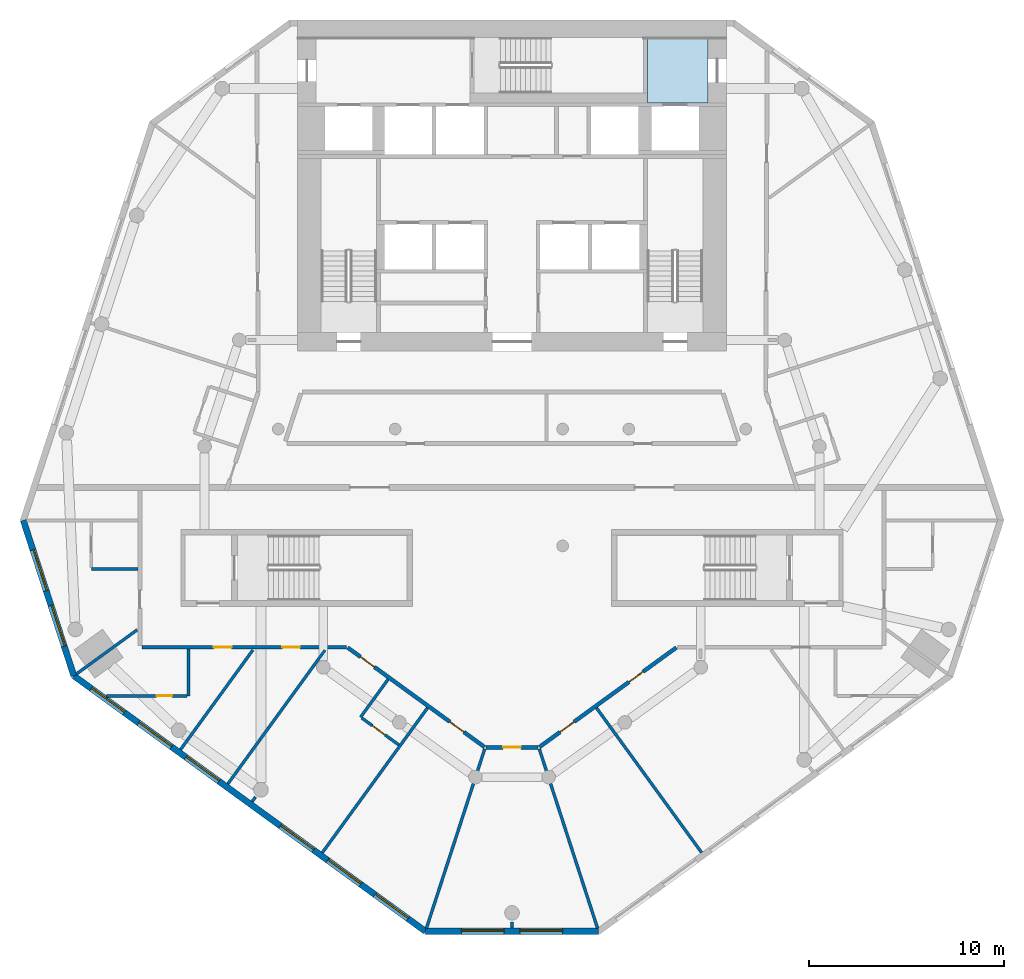
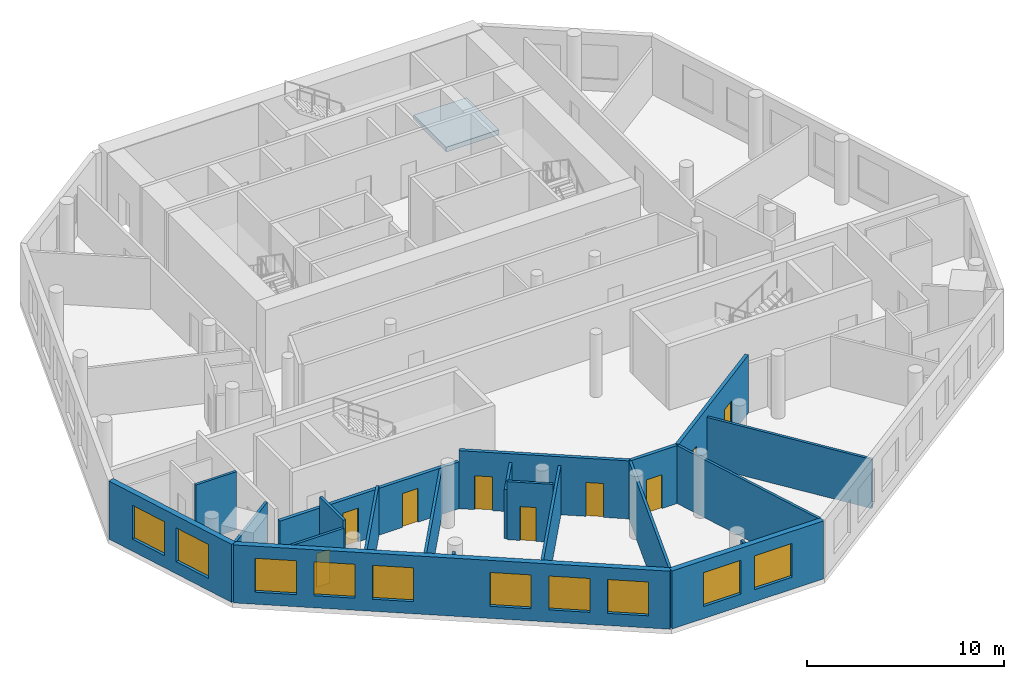
# One storey, part 2 of 9: 21 walls, 10 windows, 9 doors, 1 slab, 19 openings.
"""IFC4 building model written with IfcOpenShell, lengths in metres."""

from ifc_helpers import new_model, si_unit, direction, frame, frame_2d, origin, place, context, subcontext, project, spatial, polyline, rectangle, outline, extrude, material, layer, layer_set, type_object, element, fill, save


model = new_model("IFC4")

# Units and contexts
model_context = context("Model", 3, precision=1e-05, world=origin(), true_north=direction((0.0, 1.0)))
body_context = subcontext(model_context, "Body", "Model", "MODEL_VIEW")
ifc_project = project(units=[si_unit("LENGTHUNIT", "METRE"), si_unit("AREAUNIT", "SQUARE_METRE"), si_unit("VOLUMEUNIT", "CUBIC_METRE"), si_unit("PLANEANGLEUNIT", "RADIAN"), si_unit("MASSUNIT", "GRAM", prefix="KILO")], contexts=[model_context])

# Site, building, storey
site_placement = place(None, origin())
site = spatial("IfcSite", under=ifc_project, at=site_placement, CompositionType="ELEMENT")
building_placement = place(site_placement, origin())
building = spatial("IfcBuilding", under=site, at=building_placement, Name="White Candle Pilgrim Tower", CompositionType="ELEMENT")
storey_placement = place(building_placement, frame((0.0, 0.0, 179.800048828125)))
storey = spatial("IfcBuildingStorey", under=building, at=storey_placement, Name="L41", CompositionType="ELEMENT", Elevation=179.800048828125)

# Slab
ifc_material_1 = material(Name="Concrete C40/50", Category="concrete")
ifc_layer_1 = layer(ifc_material_1, 0.300048828125)
ifc_layer_set_1 = layer_set([ifc_layer_1], Name="Core floor slab 300 mm Concrete C40/50")
slab_type = type_object("IfcSlabType", Name="Core floor slab 300 mm Concrete C40/50", PredefinedType="FLOOR", material=ifc_layer_set_1)
slab_placement = place(storey_placement, frame((0.0, 0.0, -0.300048828125)))
element("IfcSlab", 1, at=slab_placement, inside=storey, type_object=slab_type, Name="CF-L41-06", PredefinedType="FLOOR", context=body_context, shape_type="SweptSolid", body=[
    extrude(outline(polyline([(80.050048828125, 87.050048828125), (80.050048828125, 83.75), (76.949951171875, 83.75), (76.949951171875, 84.25), (76.949951171875, 87.050048828125), (80.050048828125, 87.050048828125)])), origin(), (0.0, 0.0, 1.0), 0.300048828125),
])

# Wall, openings, doors
ifc_material_2 = material(Name="Gypsum board on steel studs", Category="steel")
ifc_layer_2 = layer(ifc_material_2, 0.199951171875)
ifc_layer_set_2 = layer_set([ifc_layer_2], Name="Corridor wall 200 mm EI 45")
wall_type_1 = type_object("IfcWallType", Name="Corridor wall 200 mm EI 45", PredefinedType="PARTITIONING", material=ifc_layer_set_2)
wall_1_placement = place(storey_placement, frame((78.434326171875, 55.781005859375, 0.0), z_axis=(0.0, 0.0, 1.0), x_axis=(-0.809005658497, -0.587800854474, 0.0)))
wall_1 = element("IfcWall", 2, at=wall_1_placement, inside=storey, type_object=wall_type_1, Name="WL-L41-P008", PredefinedType="PARTITIONING", context=body_context, shape_type="SweptSolid", body=[
    extrude(rectangle(XDim=8.69140625, YDim=0.199951171875, at=frame_2d((4.345703125, 0.0))), origin(), (0.0, 0.0, 1.0), 3.599853515625),
])
opening_1_placement = place(wall_1_placement, frame((6.4794921875, 0.0, 0.0)))
opening_1 = element("IfcOpeningElement", 3, at=opening_1_placement, cuts=wall_1, Name="Opening T12-111", PredefinedType="OPENING", context=body_context, shape_type="SweptSolid", body=[
    extrude(rectangle(XDim=0.89990234375, YDim=2.10009765625, at=frame_2d((0.449951171875, 1.050048828125))), frame((0.0, 0.10986328125, 0.0), z_axis=(0.0, -1.0, 0.0), x_axis=(1.0, 0.0, 0.0)), (0.0, 0.0, 1.0), 0.219970703125),
])
opening_2_placement = place(wall_1_placement, frame((2.101318359375, 0.0, 0.0)))
opening_2 = element("IfcOpeningElement", 4, at=opening_2_placement, cuts=wall_1, Name="Opening T12-112", PredefinedType="OPENING", context=body_context, shape_type="SweptSolid", body=[
    extrude(rectangle(XDim=0.89990234375, YDim=2.10009765625, at=frame_2d((0.449951171875, 1.050048828125))), frame((0.0, 0.10986328125, 0.0), z_axis=(0.0, -1.0, 0.0), x_axis=(1.0, 0.0, 0.0)), (0.0, 0.0, 1.0), 0.219970703125),
])
ifc_material_3 = material(Name="Steel door leaf", Category="steel")
door_type_1 = type_object("IfcDoorType", Name="Fire door 900 x 2100 EI 30", OperationType="NOTDEFINED", PredefinedType="DOOR", material=ifc_material_3)
door_1_placement = place(opening_1_placement, origin())
door_1 = element("IfcDoor", 5, at=door_1_placement, inside=storey, type_object=door_type_1, Name="Door T12-111", OperationType="SINGLE_SWING_LEFT", OverallHeight=2.10009765625, OverallWidth=0.89990234375, PredefinedType="DOOR", context=body_context, shape_type="SweptSolid", body=[
    extrude(rectangle(XDim=0.89990234375, YDim=2.10009765625, at=frame_2d((0.449951171875, 1.050048828125))), frame((0.0, 0.02490234375, 0.0), z_axis=(0.0, -1.0, 0.0), x_axis=(1.0, 0.0, 0.0)), (0.0, 0.0, 1.0), 0.050048828125),
])
fill(opening_1, door_1)
door_2_placement = place(opening_2_placement, origin())
door_2 = element("IfcDoor", 6, at=door_2_placement, inside=storey, type_object=door_type_1, Name="Door T12-112", OperationType="SINGLE_SWING_RIGHT", OverallHeight=2.10009765625, OverallWidth=0.89990234375, PredefinedType="DOOR", context=body_context, shape_type="SweptSolid", body=[
    extrude(rectangle(XDim=0.89990234375, YDim=2.10009765625, at=frame_2d((0.449951171875, 1.050048828125))), frame((0.0, 0.02490234375, 0.0), z_axis=(0.0, -1.0, 0.0), x_axis=(1.0, 0.0, 0.0)), (0.0, 0.0, 1.0), 0.050048828125),
])
fill(opening_2, door_2)

# Wall, opening, door
wall_2_placement = place(storey_placement, frame((71.343994140625, 50.653076171875, 0.0), z_axis=(0.0, 0.0, 1.0), x_axis=(-1.0, 0.0, 0.0)))
wall_2 = element("IfcWall", 7, at=wall_2_placement, inside=storey, type_object=wall_type_1, Name="WL-L41-P009", PredefinedType="PARTITIONING", context=body_context, shape_type="SweptSolid", body=[
    extrude(rectangle(XDim=2.68798828125, YDim=0.199951171875, at=frame_2d((1.343994140625, 0.0))), origin(), (0.0, 0.0, 1.0), 3.599853515625),
])
opening_3_placement = place(wall_2_placement, frame((0.89404296875, 0.0, 0.0)))
opening_3 = element("IfcOpeningElement", 8, at=opening_3_placement, cuts=wall_2, Name="Opening T12-110", PredefinedType="OPENING", context=body_context, shape_type="SweptSolid", body=[
    extrude(rectangle(XDim=0.89990234375, YDim=2.10009765625, at=frame_2d((0.449951171875, 1.050048828125))), frame((0.0, 0.10986328125, 0.0), z_axis=(0.0, -1.0, 0.0), x_axis=(1.0, 0.0, 0.0)), (0.0, 0.0, 1.0), 0.219970703125),
])
door_3_placement = place(opening_3_placement, origin())
door_3 = element("IfcDoor", 9, at=door_3_placement, inside=storey, type_object=door_type_1, Name="Door T12-110", OperationType="SINGLE_SWING_RIGHT", OverallHeight=2.10009765625, OverallWidth=0.89990234375, PredefinedType="DOOR", context=body_context, shape_type="SweptSolid", body=[
    extrude(rectangle(XDim=0.89990234375, YDim=2.10009765625, at=frame_2d((0.449951171875, 1.050048828125))), frame((0.0, 0.02490234375, 0.0), z_axis=(0.0, -1.0, 0.0), x_axis=(1.0, 0.0, 0.0)), (0.0, 0.0, 1.0), 0.050048828125),
])
fill(opening_3, door_3)

# Wall, openings, doors
wall_3_placement = place(storey_placement, frame((68.59716796875, 50.672119140625, 0.0), z_axis=(0.0, 0.0, 1.0), x_axis=(-0.809005658497, 0.587800854474, 0.0)))
wall_3 = element("IfcWall", 10, at=wall_3_placement, inside=storey, type_object=wall_type_1, Name="WL-L41-P010", PredefinedType="PARTITIONING", context=body_context, shape_type="SweptSolid", body=[
    extrude(rectangle(XDim=8.69140625, YDim=0.199951171875, at=frame_2d((4.345703125, 0.0))), origin(), (0.0, 0.0, 1.0), 3.599853515625),
])
opening_4_placement = place(wall_3_placement, frame((6.990478515625, 0.0, 0.0)))
opening_4 = element("IfcOpeningElement", 11, at=opening_4_placement, cuts=wall_3, Name="Opening T12-108", PredefinedType="OPENING", context=body_context, shape_type="SweptSolid", body=[
    extrude(rectangle(XDim=0.89990234375, YDim=2.10009765625, at=frame_2d((0.449951171875, 1.050048828125))), frame((0.0, 0.10986328125, 0.0), z_axis=(0.0, -1.0, 0.0), x_axis=(1.0, 0.0, 0.0)), (0.0, 0.0, 1.0), 0.219970703125),
])
opening_5_placement = place(wall_3_placement, frame((1.31201171875, 0.0, 0.0)))
opening_5 = element("IfcOpeningElement", 12, at=opening_5_placement, cuts=wall_3, Name="Opening T12-109", PredefinedType="OPENING", context=body_context, shape_type="SweptSolid", body=[
    extrude(rectangle(XDim=0.89990234375, YDim=2.10009765625, at=frame_2d((0.449951171875, 1.050048828125))), frame((0.0, 0.10986328125, 0.0), z_axis=(0.0, -1.0, 0.0), x_axis=(1.0, 0.0, 0.0)), (0.0, 0.0, 1.0), 0.219970703125),
])
door_4_placement = place(opening_4_placement, origin())
door_4 = element("IfcDoor", 13, at=door_4_placement, inside=storey, type_object=door_type_1, Name="Door T12-108", OperationType="SINGLE_SWING_RIGHT", OverallHeight=2.10009765625, OverallWidth=0.89990234375, PredefinedType="DOOR", context=body_context, shape_type="SweptSolid", body=[
    extrude(rectangle(XDim=0.89990234375, YDim=2.10009765625, at=frame_2d((0.449951171875, 1.050048828125))), frame((0.0, 0.02490234375, 0.0), z_axis=(0.0, -1.0, 0.0), x_axis=(1.0, 0.0, 0.0)), (0.0, 0.0, 1.0), 0.050048828125),
])
fill(opening_4, door_4)
door_5_placement = place(opening_5_placement, origin())
door_5 = element("IfcDoor", 14, at=door_5_placement, inside=storey, type_object=door_type_1, Name="Door T12-109", OperationType="SINGLE_SWING_LEFT", OverallHeight=2.10009765625, OverallWidth=0.89990234375, PredefinedType="DOOR", context=body_context, shape_type="SweptSolid", body=[
    extrude(rectangle(XDim=0.89990234375, YDim=2.10009765625, at=frame_2d((0.449951171875, 1.050048828125))), frame((0.0, 0.02490234375, 0.0), z_axis=(0.0, -1.0, 0.0), x_axis=(1.0, 0.0, 0.0)), (0.0, 0.0, 1.0), 0.050048828125),
])
fill(opening_5, door_5)

wall_4_placement = place(storey_placement, frame((61.5068359375, 55.800048828125, 0.0), z_axis=(0.0, 0.0, 1.0), x_axis=(-1.0, 0.0, 0.0)))
wall_4 = element("IfcWall", 15, at=wall_4_placement, inside=storey, type_object=wall_type_1, Name="WL-L41-P011", PredefinedType="PARTITIONING", context=body_context, shape_type="SweptSolid", body=[
    extrude(rectangle(XDim=10.5068359375, YDim=0.199951171875, at=frame_2d((5.25341796875, 0.0))), origin(), (0.0, 0.0, 1.0), 2.89990234375),
])
opening_6_placement = place(wall_4_placement, frame((5.90576171875, 0.0, 0.0)))
opening_6 = element("IfcOpeningElement", 16, at=opening_6_placement, cuts=wall_4, Name="Opening T12-105", PredefinedType="OPENING", context=body_context, shape_type="SweptSolid", body=[
    extrude(rectangle(XDim=0.89990234375, YDim=2.10009765625, at=frame_2d((0.449951171875, 1.050048828125))), frame((0.0, 0.10986328125, 0.0), z_axis=(0.0, -1.0, 0.0), x_axis=(1.0, 0.0, 0.0)), (0.0, 0.0, 1.0), 0.219970703125),
])
opening_7_placement = place(wall_4_placement, frame((2.40087890625, 0.0, 0.0)))
opening_7 = element("IfcOpeningElement", 17, at=opening_7_placement, cuts=wall_4, Name="Opening T12-106", PredefinedType="OPENING", context=body_context, shape_type="SweptSolid", body=[
    extrude(rectangle(XDim=0.89990234375, YDim=2.10009765625, at=frame_2d((0.449951171875, 1.050048828125))), frame((0.0, 0.10986328125, 0.0), z_axis=(0.0, -1.0, 0.0), x_axis=(1.0, 0.0, 0.0)), (0.0, 0.0, 1.0), 0.219970703125),
])
door_6_placement = place(opening_6_placement, origin())
door_6 = element("IfcDoor", 18, at=door_6_placement, inside=storey, type_object=door_type_1, Name="Door T12-105", OperationType="SINGLE_SWING_LEFT", OverallHeight=2.10009765625, OverallWidth=0.89990234375, PredefinedType="DOOR", context=body_context, shape_type="SweptSolid", body=[
    extrude(rectangle(XDim=0.89990234375, YDim=2.10009765625, at=frame_2d((0.449951171875, 1.050048828125))), frame((0.0, 0.02490234375, 0.0), z_axis=(0.0, -1.0, 0.0), x_axis=(1.0, 0.0, 0.0)), (0.0, 0.0, 1.0), 0.050048828125),
])
fill(opening_6, door_6)
door_7_placement = place(opening_7_placement, origin())
door_7 = element("IfcDoor", 19, at=door_7_placement, inside=storey, type_object=door_type_1, Name="Door T12-106", OperationType="SINGLE_SWING_RIGHT", OverallHeight=2.10009765625, OverallWidth=0.89990234375, PredefinedType="DOOR", context=body_context, shape_type="SweptSolid", body=[
    extrude(rectangle(XDim=0.89990234375, YDim=2.10009765625, at=frame_2d((0.449951171875, 1.050048828125))), frame((0.0, 0.02490234375, 0.0), z_axis=(0.0, -1.0, 0.0), x_axis=(1.0, 0.0, 0.0)), (0.0, 0.0, 1.0), 0.050048828125),
])
fill(opening_7, door_7)

# Wall, openings, windows
ifc_material_4 = material(Name="Precast concrete C40/50", Category="concrete")
ifc_layer_3 = layer(ifc_material_4, 0.320068359375)
ifc_layer_set_3 = layer_set([ifc_layer_3], Name="Facade wall EW1 precast concrete C40/50 pier wall with timber-lined reveals")
wall_type_2 = type_object("IfcWallType", Name="Facade wall EW1 precast concrete C40/50 pier wall with timber-lined reveals", PredefinedType="SOLIDWALL", material=ifc_layer_set_3)
wall_5_placement = place(storey_placement, frame((44.909912109375, 62.314453125, 0.0), z_axis=(0.0, 0.0, 1.0), x_axis=(0.309022961141, -0.951054577555, 0.0)))
wall_5 = element("IfcWall", 20, at=wall_5_placement, inside=storey, type_object=wall_type_2, Name="Facade wall L41 W chamfer", PredefinedType="SOLIDWALL", context=body_context, shape_type="SweptSolid", body=[
    extrude(rectangle(XDim=8.3974609375, YDim=0.320068359375, at=frame_2d((4.19873046875, 0.0))), origin(), (0.0, 0.0, 1.0), 3.599853515625),
])
opening_8_placement = place(wall_5_placement, frame((1.5986328125, 0.0, 0.75)))
opening_8 = element("IfcOpeningElement", 21, at=opening_8_placement, cuts=wall_5, Name="Opening W4", PredefinedType="OPENING", context=body_context, shape_type="SweptSolid", body=[
    extrude(rectangle(XDim=2.199951171875, YDim=2.10009765625, at=frame_2d((1.10009765625, 1.050048828125))), frame((0.0, 0.169921875, 0.0), z_axis=(0.0, -1.0, 0.0), x_axis=(1.0, 0.0, 0.0)), (0.0, 0.0, 1.0), 0.340087890625),
])
opening_9_placement = place(wall_5_placement, frame((4.5986328125, 0.0, 0.75)))
opening_9 = element("IfcOpeningElement", 22, at=opening_9_placement, cuts=wall_5, Name="Opening W4", PredefinedType="OPENING", context=body_context, shape_type="SweptSolid", body=[
    extrude(rectangle(XDim=2.199951171875, YDim=2.10009765625, at=frame_2d((1.10009765625, 1.050048828125))), frame((0.0, 0.169921875, 0.0), z_axis=(0.0, -1.0, 0.0), x_axis=(1.0, 0.0, 0.0)), (0.0, 0.0, 1.0), 0.340087890625),
])
ifc_material_5 = material(Name="Timber frame with triple glazing", Category="wood")
window_type_1 = type_object("IfcWindowType", Name="Window W4 2200x2100 timber frame triple glazing", PartitioningType="SINGLE_PANEL", PredefinedType="WINDOW", material=ifc_material_5)
window_1_placement = place(opening_8_placement, origin())
window_1 = element("IfcWindow", 23, at=window_1_placement, inside=storey, type_object=window_type_1, Name="Window W4 L41 W chamfer 1", OverallHeight=2.10009765625, OverallWidth=2.199951171875, PartitioningType="SINGLE_PANEL", PredefinedType="WINDOW", context=body_context, shape_type="SweptSolid", body=[
    extrude(rectangle(XDim=2.199951171875, YDim=2.10009765625, at=frame_2d((1.10009765625, 1.050048828125))), frame((0.0, 0.070068359375, 0.0), z_axis=(0.0, -1.0, 0.0), x_axis=(1.0, 0.0, 0.0)), (0.0, 0.0, 1.0), 0.06005859375),
])
fill(opening_8, window_1)
window_2_placement = place(opening_9_placement, origin())
window_2 = element("IfcWindow", 24, at=window_2_placement, inside=storey, type_object=window_type_1, Name="Window W4 L41 W chamfer 2", OverallHeight=2.10009765625, OverallWidth=2.199951171875, PartitioningType="SINGLE_PANEL", PredefinedType="WINDOW", context=body_context, shape_type="SweptSolid", body=[
    extrude(rectangle(XDim=2.199951171875, YDim=2.10009765625, at=frame_2d((1.10009765625, 1.050048828125))), frame((0.0, 0.070068359375, 0.0), z_axis=(0.0, -1.0, 0.0), x_axis=(1.0, 0.0, 0.0)), (0.0, 0.0, 1.0), 0.06005859375),
])
fill(opening_9, window_2)

wall_6_placement = place(storey_placement, frame((47.5048828125, 54.328125, 0.0), z_axis=(0.0, 0.0, 1.0), x_axis=(0.80901752216, -0.587784525858, 0.0)))
wall_6 = element("IfcWall", 25, at=wall_6_placement, inside=storey, type_object=wall_type_2, Name="Facade wall L41 SW", PredefinedType="SOLIDWALL", context=body_context, shape_type="SweptSolid", body=[
    extrude(rectangle(XDim=22.3125, YDim=0.320068359375, at=frame_2d((11.15625, 0.0))), origin(), (0.0, 0.0, 1.0), 3.599853515625),
])
opening_10_placement = place(wall_6_placement, frame((1.1064453125, 0.0, 0.75)))
opening_10 = element("IfcOpeningElement", 26, at=opening_10_placement, cuts=wall_6, Name="Opening W3", PredefinedType="OPENING", context=body_context, shape_type="SweptSolid", body=[
    extrude(rectangle(XDim=2.10009765625, YDim=2.10009765625, at=frame_2d((1.050048828125, 1.050048828125))), frame((0.0, 0.169921875, 0.0), z_axis=(0.0, -1.0, 0.0), x_axis=(1.0, 0.0, 0.0)), (0.0, 0.0, 1.0), 0.340087890625),
])
opening_11_placement = place(wall_6_placement, frame((4.1064453125, 0.0, 0.75)))
opening_11 = element("IfcOpeningElement", 27, at=opening_11_placement, cuts=wall_6, Name="Opening W3", PredefinedType="OPENING", context=body_context, shape_type="SweptSolid", body=[
    extrude(rectangle(XDim=2.10009765625, YDim=2.10009765625, at=frame_2d((1.050048828125, 1.050048828125))), frame((0.0, 0.169921875, 0.0), z_axis=(0.0, -1.0, 0.0), x_axis=(1.0, 0.0, 0.0)), (0.0, 0.0, 1.0), 0.340087890625),
])
opening_12_placement = place(wall_6_placement, frame((7.1064453125, 0.0, 0.75)))
opening_12 = element("IfcOpeningElement", 28, at=opening_12_placement, cuts=wall_6, Name="Opening W3", PredefinedType="OPENING", context=body_context, shape_type="SweptSolid", body=[
    extrude(rectangle(XDim=2.10009765625, YDim=2.10009765625, at=frame_2d((1.050048828125, 1.050048828125))), frame((0.0, 0.169921875, 0.0), z_axis=(0.0, -1.0, 0.0), x_axis=(1.0, 0.0, 0.0)), (0.0, 0.0, 1.0), 0.340087890625),
])
opening_13_placement = place(wall_6_placement, frame((13.1064453125, 0.0, 0.75)))
opening_13 = element("IfcOpeningElement", 29, at=opening_13_placement, cuts=wall_6, Name="Opening W3", PredefinedType="OPENING", context=body_context, shape_type="SweptSolid", body=[
    extrude(rectangle(XDim=2.10009765625, YDim=2.10009765625, at=frame_2d((1.050048828125, 1.050048828125))), frame((0.0, 0.169921875, 0.0), z_axis=(0.0, -1.0, 0.0), x_axis=(1.0, 0.0, 0.0)), (0.0, 0.0, 1.0), 0.340087890625),
])
opening_14_placement = place(wall_6_placement, frame((16.1064453125, 0.0, 0.75)))
opening_14 = element("IfcOpeningElement", 30, at=opening_14_placement, cuts=wall_6, Name="Opening W3", PredefinedType="OPENING", context=body_context, shape_type="SweptSolid", body=[
    extrude(rectangle(XDim=2.10009765625, YDim=2.10009765625, at=frame_2d((1.050048828125, 1.050048828125))), frame((0.0, 0.169921875, 0.0), z_axis=(0.0, -1.0, 0.0), x_axis=(1.0, 0.0, 0.0)), (0.0, 0.0, 1.0), 0.340087890625),
])
opening_15_placement = place(wall_6_placement, frame((19.1064453125, 0.0, 0.75)))
opening_15 = element("IfcOpeningElement", 31, at=opening_15_placement, cuts=wall_6, Name="Opening W3", PredefinedType="OPENING", context=body_context, shape_type="SweptSolid", body=[
    extrude(rectangle(XDim=2.10009765625, YDim=2.10009765625, at=frame_2d((1.050048828125, 1.050048828125))), frame((0.0, 0.169921875, 0.0), z_axis=(0.0, -1.0, 0.0), x_axis=(1.0, 0.0, 0.0)), (0.0, 0.0, 1.0), 0.340087890625),
])
window_type_2 = type_object("IfcWindowType", Name="Window W3 2100x2100 timber frame triple glazing", PartitioningType="SINGLE_PANEL", PredefinedType="WINDOW", material=ifc_material_5)
window_3_placement = place(opening_10_placement, origin())
window_3 = element("IfcWindow", 32, at=window_3_placement, inside=storey, type_object=window_type_2, Name="Window W3 L41 SW 1", OverallHeight=2.10009765625, OverallWidth=2.10009765625, PartitioningType="SINGLE_PANEL", PredefinedType="WINDOW", context=body_context, shape_type="SweptSolid", body=[
    extrude(rectangle(XDim=2.10009765625, YDim=2.10009765625, at=frame_2d((1.050048828125, 1.050048828125))), frame((0.0, 0.070068359375, 0.0), z_axis=(0.0, -1.0, 0.0), x_axis=(1.0, 0.0, 0.0)), (0.0, 0.0, 1.0), 0.06005859375),
])
fill(opening_10, window_3)
window_4_placement = place(opening_11_placement, origin())
window_4 = element("IfcWindow", 33, at=window_4_placement, inside=storey, type_object=window_type_2, Name="Window W3 L41 SW 2", OverallHeight=2.10009765625, OverallWidth=2.10009765625, PartitioningType="SINGLE_PANEL", PredefinedType="WINDOW", context=body_context, shape_type="SweptSolid", body=[
    extrude(rectangle(XDim=2.10009765625, YDim=2.10009765625, at=frame_2d((1.050048828125, 1.050048828125))), frame((0.0, 0.070068359375, 0.0), z_axis=(0.0, -1.0, 0.0), x_axis=(1.0, 0.0, 0.0)), (0.0, 0.0, 1.0), 0.06005859375),
])
fill(opening_11, window_4)
window_5_placement = place(opening_12_placement, origin())
window_5 = element("IfcWindow", 34, at=window_5_placement, inside=storey, type_object=window_type_2, Name="Window W3 L41 SW 3", OverallHeight=2.10009765625, OverallWidth=2.10009765625, PartitioningType="SINGLE_PANEL", PredefinedType="WINDOW", context=body_context, shape_type="SweptSolid", body=[
    extrude(rectangle(XDim=2.10009765625, YDim=2.10009765625, at=frame_2d((1.050048828125, 1.050048828125))), frame((0.0, 0.070068359375, 0.0), z_axis=(0.0, -1.0, 0.0), x_axis=(1.0, 0.0, 0.0)), (0.0, 0.0, 1.0), 0.06005859375),
])
fill(opening_12, window_5)
window_6_placement = place(opening_13_placement, origin())
window_6 = element("IfcWindow", 35, at=window_6_placement, inside=storey, type_object=window_type_2, Name="Window W3 L41 SW 5", OverallHeight=2.10009765625, OverallWidth=2.10009765625, PartitioningType="SINGLE_PANEL", PredefinedType="WINDOW", context=body_context, shape_type="SweptSolid", body=[
    extrude(rectangle(XDim=2.10009765625, YDim=2.10009765625, at=frame_2d((1.050048828125, 1.050048828125))), frame((0.0, 0.070068359375, 0.0), z_axis=(0.0, -1.0, 0.0), x_axis=(1.0, 0.0, 0.0)), (0.0, 0.0, 1.0), 0.06005859375),
])
fill(opening_13, window_6)
window_7_placement = place(opening_14_placement, origin())
window_7 = element("IfcWindow", 36, at=window_7_placement, inside=storey, type_object=window_type_2, Name="Window W3 L41 SW 6", OverallHeight=2.10009765625, OverallWidth=2.10009765625, PartitioningType="SINGLE_PANEL", PredefinedType="WINDOW", context=body_context, shape_type="SweptSolid", body=[
    extrude(rectangle(XDim=2.10009765625, YDim=2.10009765625, at=frame_2d((1.050048828125, 1.050048828125))), frame((0.0, 0.070068359375, 0.0), z_axis=(0.0, -1.0, 0.0), x_axis=(1.0, 0.0, 0.0)), (0.0, 0.0, 1.0), 0.06005859375),
])
fill(opening_14, window_7)
window_8_placement = place(opening_15_placement, origin())
window_8 = element("IfcWindow", 37, at=window_8_placement, inside=storey, type_object=window_type_2, Name="Window W3 L41 SW 7", OverallHeight=2.10009765625, OverallWidth=2.10009765625, PartitioningType="SINGLE_PANEL", PredefinedType="WINDOW", context=body_context, shape_type="SweptSolid", body=[
    extrude(rectangle(XDim=2.10009765625, YDim=2.10009765625, at=frame_2d((1.050048828125, 1.050048828125))), frame((0.0, 0.070068359375, 0.0), z_axis=(0.0, -1.0, 0.0), x_axis=(1.0, 0.0, 0.0)), (0.0, 0.0, 1.0), 0.06005859375),
])
fill(opening_15, window_8)

wall_7_placement = place(storey_placement, frame((65.55615234375, 41.213134765625, 0.0), z_axis=(0.0, 0.0, 1.0), x_axis=(1.0, 0.0, 0.0)))
wall_7 = element("IfcWall", 38, at=wall_7_placement, inside=storey, type_object=wall_type_2, Name="Facade wall L41 S chamfer", PredefinedType="SOLIDWALL", context=body_context, shape_type="SweptSolid", body=[
    extrude(rectangle(XDim=8.8876953125, YDim=0.320068359375, at=frame_2d((4.44384765625, 0.0))), origin(), (0.0, 0.0, 1.0), 3.599853515625),
])
opening_16_placement = place(wall_7_placement, frame((1.84375, 0.0, 0.75)))
opening_16 = element("IfcOpeningElement", 39, at=opening_16_placement, cuts=wall_7, Name="Opening W4", PredefinedType="OPENING", context=body_context, shape_type="SweptSolid", body=[
    extrude(rectangle(XDim=2.199951171875, YDim=2.10009765625, at=frame_2d((1.10009765625, 1.050048828125))), frame((0.0, 0.169921875, 0.0), z_axis=(0.0, -1.0, 0.0), x_axis=(1.0, 0.0, 0.0)), (0.0, 0.0, 1.0), 0.340087890625),
])
opening_17_placement = place(wall_7_placement, frame((4.84375, 0.0, 0.75)))
opening_17 = element("IfcOpeningElement", 40, at=opening_17_placement, cuts=wall_7, Name="Opening W4", PredefinedType="OPENING", context=body_context, shape_type="SweptSolid", body=[
    extrude(rectangle(XDim=2.199951171875, YDim=2.10009765625, at=frame_2d((1.10009765625, 1.050048828125))), frame((0.0, 0.169921875, 0.0), z_axis=(0.0, -1.0, 0.0), x_axis=(1.0, 0.0, 0.0)), (0.0, 0.0, 1.0), 0.340087890625),
])
window_9_placement = place(opening_16_placement, origin())
window_9 = element("IfcWindow", 41, at=window_9_placement, inside=storey, type_object=window_type_1, Name="Window W4 L41 S chamfer 1", OverallHeight=2.10009765625, OverallWidth=2.199951171875, PartitioningType="SINGLE_PANEL", PredefinedType="WINDOW", context=body_context, shape_type="SweptSolid", body=[
    extrude(rectangle(XDim=2.199951171875, YDim=2.10009765625, at=frame_2d((1.10009765625, 1.050048828125))), frame((0.0, 0.070068359375, 0.0), z_axis=(0.0, -1.0, 0.0), x_axis=(1.0, 0.0, 0.0)), (0.0, 0.0, 1.0), 0.06005859375),
])
fill(opening_16, window_9)
window_10_placement = place(opening_17_placement, origin())
window_10 = element("IfcWindow", 42, at=window_10_placement, inside=storey, type_object=window_type_1, Name="Window W4 L41 S chamfer 2", OverallHeight=2.10009765625, OverallWidth=2.199951171875, PartitioningType="SINGLE_PANEL", PredefinedType="WINDOW", context=body_context, shape_type="SweptSolid", body=[
    extrude(rectangle(XDim=2.199951171875, YDim=2.10009765625, at=frame_2d((1.10009765625, 1.050048828125))), frame((0.0, 0.070068359375, 0.0), z_axis=(0.0, -1.0, 0.0), x_axis=(1.0, 0.0, 0.0)), (0.0, 0.0, 1.0), 0.06005859375),
])
fill(opening_17, window_10)

# Walls
ifc_layer_4 = layer(ifc_material_2, 0.14990234375)
ifc_layer_set_4 = layer_set([ifc_layer_4], Name="Partition 150 mm EI 60")
wall_type_3 = type_object("IfcWallType", Name="Partition 150 mm EI 60", PredefinedType="PARTITIONING", material=ifc_layer_set_4)
wall_8_placement = place(storey_placement, frame((47.64111328125, 54.427001953125, 0.0), z_axis=(0.0, 0.0, 1.0), x_axis=(0.808993762588, 0.587817226775, 0.0)))
element("IfcWall", 43, at=wall_8_placement, inside=storey, type_object=wall_type_3, Name="WL-L41-P019", PredefinedType="PARTITIONING", context=body_context, shape_type="SweptSolid", body=[
    extrude(rectangle(XDim=3.85009765625, YDim=0.14990234375, at=frame_2d((1.925048828125, 0.0))), origin(), (0.0, 0.0, 1.0), 3.599853515625),
])
for number, where, z_axis, x_axis, name in (
    (44, (65.608154296875, 41.373046875, 0.0), (0.0, 0.0, 1.0), (0.309017584441, 0.951056324571, 0.0), "WL-L41-P020"),
    (45, (74.391845703125, 41.373046875, 0.0), (0.0, 0.0, 1.0), (-0.309017584441, 0.951056324571, 0.0), "WL-L41-P021"),
):
    element("IfcWall", number, at=place(storey_placement, frame(where, z_axis=z_axis, x_axis=x_axis)), inside=storey, type_object=wall_type_3, Name=name, PredefinedType="PARTITIONING", context=body_context, shape_type="SweptSolid", body=[
        extrude(rectangle(XDim=9.672607421875, YDim=0.14990234375, at=frame_2d((4.83642578125, 0.0))), origin(), (0.0, 0.0, 1.0), 3.599853515625),
    ])
wall_9_placement = place(storey_placement, frame((50.800048828125, 59.814453125, 0.0), z_axis=(0.0, 0.0, 1.0), x_axis=(-1.0, 0.0, 0.0)))
element("IfcWall", 46, at=wall_9_placement, inside=storey, type_object=wall_type_3, Name="WL-L41-P029", PredefinedType="PARTITIONING", context=body_context, shape_type="SweptSolid", body=[
    extrude(rectangle(XDim=2.400146484375, YDim=0.14990234375, at=frame_2d((1.2001953125, 0.0))), origin(), (0.0, 0.0, 1.0), 3.599853515625),
])
wall_10_placement = place(storey_placement, frame((52.98388671875, 50.545166015625, 0.0), z_axis=(0.0, 0.0, 1.0), x_axis=(0.587799384359, 0.809006726639, 0.0)))
element("IfcWall", 47, at=wall_10_placement, inside=storey, type_object=wall_type_3, Name="WL-L41-P031", PredefinedType="PARTITIONING", context=body_context, shape_type="SweptSolid", body=[
    extrude(rectangle(XDim=6.3173828125, YDim=0.14990234375, at=frame_2d((3.15869140625, 0.0))), origin(), (0.0, 0.0, 1.0), 3.14990234375),
])
wall_11_placement = place(storey_placement, frame((55.4111328125, 48.78173828125, 0.0), z_axis=(0.0, 0.0, 1.0), x_axis=(0.587780401156, 0.80902051891, 0.0)))
element("IfcWall", 48, at=wall_11_placement, inside=storey, type_object=wall_type_3, Name="WL-L41-P032", PredefinedType="PARTITIONING", context=body_context, shape_type="SweptSolid", body=[
    extrude(rectangle(XDim=8.4970703125, YDim=0.14990234375, at=frame_2d((4.24853515625, 0.0))), origin(), (0.0, 0.0, 1.0), 2.89990234375),
])
wall_12_placement = place(storey_placement, frame((60.26513671875, 45.2548828125, 0.0), z_axis=(0.0, 0.0, 1.0), x_axis=(0.587765230576, 0.809031540625, 0.0)))
element("IfcWall", 49, at=wall_12_placement, inside=storey, type_object=wall_type_3, Name="WL-L41-P033", PredefinedType="PARTITIONING", context=body_context, shape_type="SweptSolid", body=[
    extrude(rectangle(XDim=9.18017578125, YDim=0.14990234375, at=frame_2d((4.590087890625, 0.0))), origin(), (0.0, 0.0, 1.0), 3.050048828125),
])
wall_13_placement = place(storey_placement, frame((53.39990234375, 55.699951171875, 0.0), z_axis=(0.0, 0.0, 1.0), x_axis=(0.0, -1.0, 0.0)))
element("IfcWall", 50, at=wall_13_placement, inside=storey, type_object=wall_type_3, Name="WL-L41-P034", PredefinedType="PARTITIONING", context=body_context, shape_type="SweptSolid", body=[
    extrude(rectangle(XDim=2.39990234375, YDim=0.14990234375, at=frame_2d((1.199951171875, 0.0))), origin(), (0.0, 0.0, 1.0), 3.599853515625),
])

# Wall, opening, door
wall_14_placement = place(storey_placement, frame((49.192138671875, 53.300048828125, 0.0), z_axis=(0.0, 0.0, 1.0), x_axis=(1.0, 0.0, 0.0)))
wall_14 = element("IfcWall", 51, at=wall_14_placement, inside=storey, type_object=wall_type_3, Name="WL-L41-P035", PredefinedType="PARTITIONING", context=body_context, shape_type="SweptSolid", body=[
    extrude(rectangle(XDim=4.1328125, YDim=0.14990234375, at=frame_2d((2.06640625, 0.0))), origin(), (0.0, 0.0, 1.0), 3.14990234375),
])
opening_18_placement = place(wall_14_placement, frame((2.557861328125, 0.0, 0.0)))
opening_18 = element("IfcOpeningElement", 52, at=opening_18_placement, cuts=wall_14, Name="Opening T12-104", PredefinedType="OPENING", context=body_context, shape_type="SweptSolid", body=[
    extrude(rectangle(XDim=0.800048828125, YDim=2.10009765625, at=frame_2d((0.39990234375, 1.050048828125))), frame((0.0, 0.0849609375, 0.0), z_axis=(0.0, -1.0, 0.0), x_axis=(1.0, 0.0, 0.0)), (0.0, 0.0, 1.0), 0.169921875),
])
door_type_2 = type_object("IfcDoorType", Name="Fire door 800 x 2100 EI 30", OperationType="NOTDEFINED", PredefinedType="DOOR", material=ifc_material_3)
door_8_placement = place(opening_18_placement, frame((0.800048828125, 0.0, 0.0), z_axis=(0.0, 0.0, 1.0), x_axis=(-1.0, 0.0, 0.0)))
door_8 = element("IfcDoor", 53, at=door_8_placement, inside=storey, type_object=door_type_2, Name="Door T12-104", OperationType="SINGLE_SWING_LEFT", OverallHeight=2.10009765625, OverallWidth=0.800048828125, PredefinedType="DOOR", context=body_context, shape_type="SweptSolid", body=[
    extrude(rectangle(XDim=0.800048828125, YDim=2.10009765625, at=frame_2d((0.39990234375, 1.050048828125))), frame((0.0, 0.02490234375, 0.0), z_axis=(0.0, -1.0, 0.0), x_axis=(1.0, 0.0, 0.0)), (0.0, 0.0, 1.0), 0.050048828125),
])
fill(opening_18, door_8)

# Wall
wall_15_placement = place(storey_placement, frame((63.638427734375, 54.1513671875, 0.0), z_axis=(0.0, 0.0, 1.0), x_axis=(-0.587772420479, -0.809026317077, 0.0)))
element("IfcWall", 54, at=wall_15_placement, inside=storey, type_object=wall_type_3, Name="WL-L41-P036", PredefinedType="PARTITIONING", context=body_context, shape_type="SweptSolid", body=[
    extrude(rectangle(XDim=2.39990234375, YDim=0.14990234375, at=frame_2d((1.199951171875, 0.0))), origin(), (0.0, 0.0, 1.0), 3.050048828125),
])

# Wall, opening, door
wall_16_placement = place(storey_placement, frame((64.189697265625, 50.7841796875, 0.0), z_axis=(0.0, 0.0, 1.0), x_axis=(-0.808996573949, 0.587813357571, 0.0)))
wall_16 = element("IfcWall", 55, at=wall_16_placement, inside=storey, type_object=wall_type_3, Name="WL-L41-P037", PredefinedType="PARTITIONING", context=body_context, shape_type="SweptSolid", body=[
    extrude(rectangle(XDim=2.35009765625, YDim=0.14990234375, at=frame_2d((1.175048828125, 0.0))), origin(), (0.0, 0.0, 1.0), 3.599853515625),
])
opening_19_placement = place(wall_16_placement, frame((0.875, 0.0, 0.0)))
opening_19 = element("IfcOpeningElement", 56, at=opening_19_placement, cuts=wall_16, Name="Opening T12-107", PredefinedType="OPENING", context=body_context, shape_type="SweptSolid", body=[
    extrude(rectangle(XDim=0.800048828125, YDim=2.10009765625, at=frame_2d((0.39990234375, 1.050048828125))), frame((0.0, 0.0849609375, 0.0), z_axis=(0.0, -1.0, 0.0), x_axis=(1.0, 0.0, 0.0)), (0.0, 0.0, 1.0), 0.169921875),
])
door_9_placement = place(opening_19_placement, origin())
door_9 = element("IfcDoor", 57, at=door_9_placement, inside=storey, type_object=door_type_2, Name="Door T12-107", OperationType="SINGLE_SWING_LEFT", OverallHeight=2.10009765625, OverallWidth=0.800048828125, PredefinedType="DOOR", context=body_context, shape_type="SweptSolid", body=[
    extrude(rectangle(XDim=0.800048828125, YDim=2.10009765625, at=frame_2d((0.39990234375, 1.050048828125))), frame((0.0, 0.02490234375, 0.0), z_axis=(0.0, -1.0, 0.0), x_axis=(1.0, 0.0, 0.0)), (0.0, 0.0, 1.0), 0.050048828125),
])
fill(opening_19, door_9)

# Walls
wall_17_placement = place(storey_placement, frame((79.73486328125, 45.2548828125, 0.0), z_axis=(0.0, 0.0, 1.0), x_axis=(-0.587765230576, 0.809031540625, 0.0)))
element("IfcWall", 58, at=wall_17_placement, inside=storey, type_object=wall_type_3, Name="WL-L41-P038", PredefinedType="PARTITIONING", context=body_context, shape_type="SweptSolid", body=[
    extrude(rectangle(XDim=9.18017578125, YDim=0.14990234375, at=frame_2d((4.590087890625, 0.0))), origin(), (0.0, 0.0, 1.0), 3.050048828125),
])
wall_18_placement = place(storey_placement, frame((56.8291015625, 48.109375, 0.0), z_axis=(0.0, 0.0, 1.0), x_axis=(-0.587519947193, -0.809209683364, 0.0)))
element("IfcWall", 59, at=wall_18_placement, inside=storey, type_object=wall_type_3, Name="WL-L41-P049", PredefinedType="PARTITIONING", context=body_context, shape_type="SweptSolid", body=[
    extrude(rectangle(XDim=0.28955078125, YDim=0.14990234375, at=frame_2d((0.144775390625, 0.0))), origin(), (0.0, 0.0, 1.0), 3.599853515625),
])
wall_19_placement = place(storey_placement, frame((70.002197265625, 41.695068359375, 0.0), z_axis=(0.0, 0.0, 1.0), x_axis=(0.0, -1.0, 0.0)))
element("IfcWall", 60, at=wall_19_placement, inside=storey, type_object=wall_type_3, Name="WL-L41-P050", PredefinedType="PARTITIONING", context=body_context, shape_type="SweptSolid", body=[
    extrude(rectangle(XDim=0.322021484375, YDim=0.14990234375, at=frame_2d((0.1611328125, 0.0))), origin(), (0.0, 0.0, 1.0), 3.599853515625),
])

save(model, "model.ifc")
